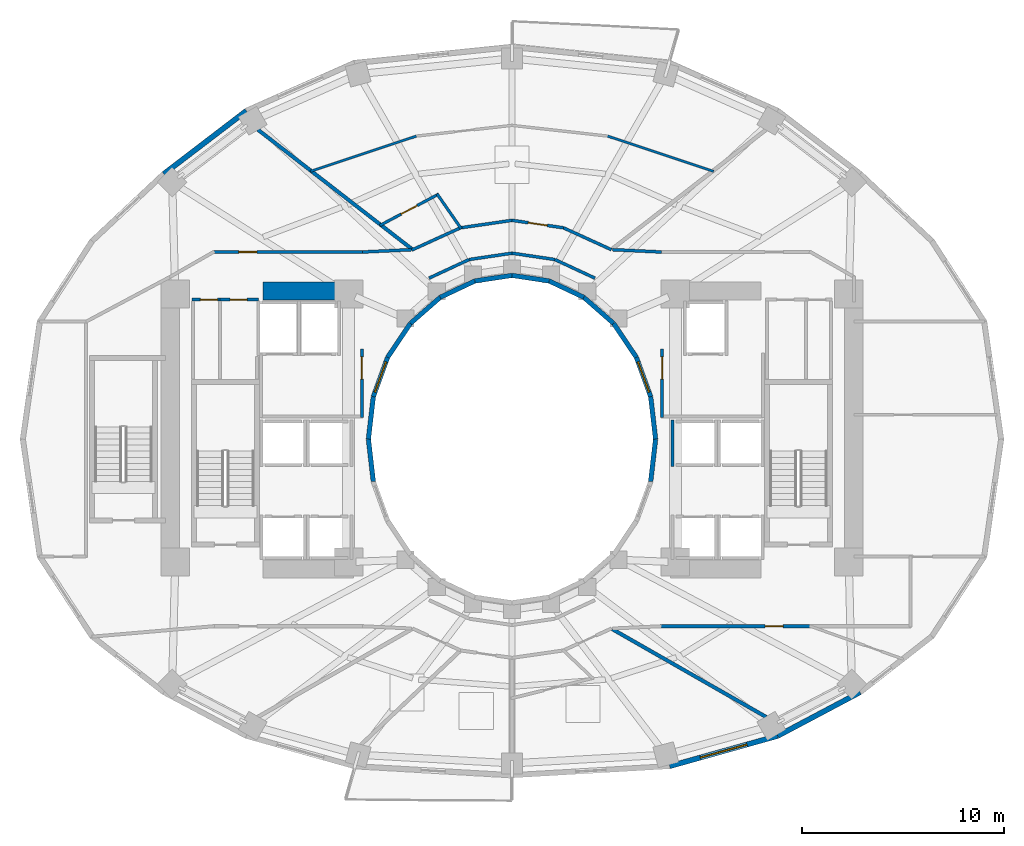
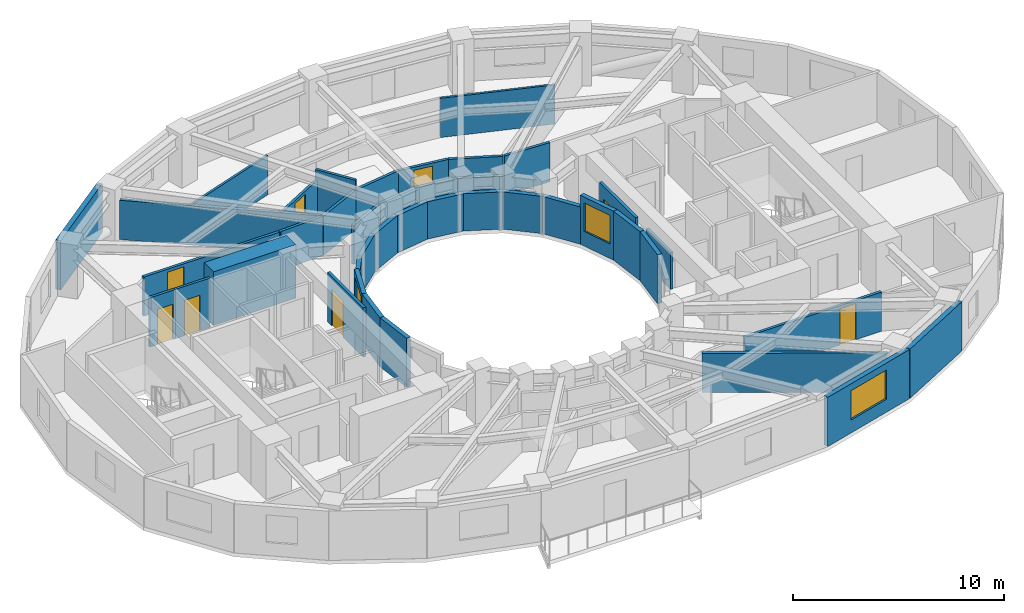
# One storey, part 5 of 9: 41 walls, 8 doors, 3 windows, 11 openings.
"""IFC4 building model written with IfcOpenShell, lengths in metres."""

from ifc_helpers import new_model, si_unit, direction, frame, frame_2d, origin, place, context, subcontext, project, spatial, rectangle, extrude, material, layer, layer_set, type_object, element, fill, save


model = new_model("IFC4")

# Units and contexts
model_context = context("Model", 3, precision=1e-05, world=origin(), true_north=direction((0.0, 1.0)))
body_context = subcontext(model_context, "Body", "Model", "MODEL_VIEW")
ifc_project = project(units=[si_unit("LENGTHUNIT", "METRE"), si_unit("AREAUNIT", "SQUARE_METRE"), si_unit("VOLUMEUNIT", "CUBIC_METRE"), si_unit("PLANEANGLEUNIT", "RADIAN"), si_unit("MASSUNIT", "GRAM", prefix="KILO")], contexts=[model_context])

# Site, building, storey
site_placement = place(None, origin())
site = spatial("IfcSite", under=ifc_project, at=site_placement, CompositionType="ELEMENT")
building_placement = place(site_placement, origin())
building = spatial("IfcBuilding", under=site, at=building_placement, Name="Solvane Sanctuary Tower", CompositionType="ELEMENT")
storey_placement = place(building_placement, frame((0.0, 0.0, 79.39990234375)))
storey = spatial("IfcBuildingStorey", under=building, at=storey_placement, Name="L23", CompositionType="ELEMENT", Elevation=79.39990234375)

# Wall
ifc_material_1 = material(Name="Concrete C70/85", Category="concrete")
ifc_layer_1 = layer(ifc_material_1, 0.89990234375, Name="Concrete C70/85")
ifc_layer_set_1 = layer_set([ifc_layer_1], Name="Concrete C70/85")
wall_type_1 = type_object("IfcWallType", Name="Wall W-CORE-900", PredefinedType="SHEAR", material=ifc_layer_set_1)
wall_1_placement = place(storey_placement, frame((19.64990234375, 30.35009765625, 0.0), z_axis=(0.0, 0.0, 1.0), x_axis=(1.0, 0.0, 0.0)))
element("IfcWall", 1, at=wall_1_placement, inside=storey, type_object=wall_type_1, Name="L23 Core Shear Wall WC-N", PredefinedType="SHEAR", context=body_context, shape_type="SweptSolid", body=[
    extrude(rectangle(XDim=4.5, YDim=0.89990234375, at=frame_2d((2.25, 0.0))), origin(), (0.0, 0.0, 1.0), 3.10009765625),
])

# Wall, opening, door
ifc_material_2 = material(Name="Acoustic Gypsum Partition Board")
ifc_layer_2 = layer(ifc_material_2, 0.14990234375, Name="Acoustic Gypsum Partition Board")
ifc_layer_set_2 = layer_set([ifc_layer_2], Name="Acoustic Gypsum Partition Board")
wall_type_2 = type_object("IfcWallType", Name="Wall W-CORR-150", PredefinedType="PARTITIONING", material=ifc_layer_set_2)
wall_2_placement = place(storey_placement, frame((24.550048828125, 24.080078125, 0.0), z_axis=(0.0, 0.0, 1.0), x_axis=(0.0, 1.0, 0.0)))
wall_2 = element("IfcWall", 2, at=wall_2_placement, inside=storey, type_object=wall_type_2, Name="L23 West Firefighting Lobby East Wall", PredefinedType="PARTITIONING", context=body_context, shape_type="SweptSolid", body=[
    extrude(rectangle(XDim=3.39990234375, YDim=0.14990234375, at=frame_2d((1.699951171875, 0.0))), origin(), (0.0, 0.0, 1.0), 2.85498046875),
])
opening_1_placement = place(wall_2_placement, frame((1.893798828125, 0.0, 0.0)))
opening_1 = element("IfcOpeningElement", 3, at=opening_1_placement, cuts=wall_2, Name="Opening D-L23-06", PredefinedType="OPENING", context=body_context, shape_type="SweptSolid", body=[
    extrude(rectangle(XDim=1.10009765625, YDim=2.10009765625, at=frame_2d((0.550048828125, 1.050048828125))), frame((0.0, 0.0849609375, 0.0), z_axis=(0.0, -1.0, 0.0), x_axis=(1.0, 0.0, 0.0)), (0.0, 0.0, 1.0), 0.169921875),
])
ifc_material_3 = material(Name="Architectural Stainless Steel 316", Category="steel")
door_type_1 = type_object("IfcDoorType", Name="Door D-FFL", OperationType="NOTDEFINED", PredefinedType="DOOR", material=ifc_material_3)
door_1_placement = place(opening_1_placement, origin())
door_1 = element("IfcDoor", 4, at=door_1_placement, inside=storey, type_object=door_type_1, Name="L23 West Firefighting Lobby Fire Door", OperationType="SINGLE_SWING_RIGHT", OverallHeight=2.10009765625, OverallWidth=1.10009765625, PredefinedType="DOOR", context=body_context, shape_type="SweptSolid", body=[
    extrude(rectangle(XDim=1.10009765625, YDim=2.10009765625, at=frame_2d((0.550048828125, 1.050048828125))), frame((0.0, 0.02490234375, 0.0), z_axis=(0.0, -1.0, 0.0), x_axis=(1.0, 0.0, 0.0)), (0.0, 0.0, 1.0), 0.050048828125),
])
fill(opening_1, door_1)

wall_3_placement = place(storey_placement, frame((39.449951171875, 24.080078125, 0.0), z_axis=(0.0, 0.0, 1.0), x_axis=(0.0, 1.0, 0.0)))
wall_3 = element("IfcWall", 5, at=wall_3_placement, inside=storey, type_object=wall_type_2, Name="L23 East Firefighting Lobby West Wall", PredefinedType="PARTITIONING", context=body_context, shape_type="SweptSolid", body=[
    extrude(rectangle(XDim=3.39990234375, YDim=0.14990234375, at=frame_2d((1.699951171875, 0.0))), origin(), (0.0, 0.0, 1.0), 2.85498046875),
])
opening_2_placement = place(wall_3_placement, frame((1.893798828125, 0.0, 0.0)))
opening_2 = element("IfcOpeningElement", 6, at=opening_2_placement, cuts=wall_3, Name="Opening D-L23-07", PredefinedType="OPENING", context=body_context, shape_type="SweptSolid", body=[
    extrude(rectangle(XDim=1.10009765625, YDim=2.10009765625, at=frame_2d((0.550048828125, 1.050048828125))), frame((0.0, 0.0849609375, 0.0), z_axis=(0.0, -1.0, 0.0), x_axis=(1.0, 0.0, 0.0)), (0.0, 0.0, 1.0), 0.169921875),
])
door_2_placement = place(opening_2_placement, origin())
door_2 = element("IfcDoor", 7, at=door_2_placement, inside=storey, type_object=door_type_1, Name="L23 East Firefighting Lobby Fire Door", OperationType="SINGLE_SWING_LEFT", OverallHeight=2.10009765625, OverallWidth=1.10009765625, PredefinedType="DOOR", context=body_context, shape_type="SweptSolid", body=[
    extrude(rectangle(XDim=1.10009765625, YDim=2.10009765625, at=frame_2d((0.550048828125, 1.050048828125))), frame((0.0, 0.02490234375, 0.0), z_axis=(0.0, -1.0, 0.0), x_axis=(1.0, 0.0, 0.0)), (0.0, 0.0, 1.0), 0.050048828125),
])
fill(opening_2, door_2)

# Walls
wall_4_placement = place(storey_placement, frame((36.110107421875, 30.98486328125, 0.0), z_axis=(0.0, 0.0, 1.0), x_axis=(-0.906943449489, 0.421252393975, 0.0)))
element("IfcWall", 8, at=wall_4_placement, inside=storey, type_object=wall_type_2, Name="L23 Light-Well Corridor Rim Wall N1", PredefinedType="PARTITIONING", context=body_context, shape_type="SweptSolid", body=[
    extrude(rectangle(XDim=2.18603515625, YDim=0.14990234375, at=frame_2d((1.093017578125, 0.0))), origin(), (0.0, 0.0, 1.0), 2.272216796875),
])
for number, where, z_axis, x_axis, name in (
    (9, (34.12744140625, 31.90576171875, 0.0), (0.0, 0.0, 1.0), (-0.989268584896, 0.146108408166, 0.0), "L23 Light-Well Corridor Rim Wall N2"),
    (10, (32.0, 32.219970703125, 0.0), (0.0, 0.0, 1.0), (-0.989268584896, -0.146108408166, 0.0), "L23 Light-Well Corridor Rim Wall N3"),
):
    element("IfcWall", number, at=place(storey_placement, frame(where, z_axis=z_axis, x_axis=x_axis)), inside=storey, type_object=wall_type_2, Name=name, PredefinedType="PARTITIONING", context=body_context, shape_type="SweptSolid", body=[
        extrude(rectangle(XDim=2.150634765625, YDim=0.14990234375, at=frame_2d((1.0751953125, 0.0))), origin(), (0.0, 0.0, 1.0), 2.272216796875),
    ])
wall_5_placement = place(storey_placement, frame((29.87255859375, 31.90576171875, 0.0), z_axis=(0.0, 0.0, 1.0), x_axis=(-0.906943449489, -0.421252393975, 0.0)))
element("IfcWall", 11, at=wall_5_placement, inside=storey, type_object=wall_type_2, Name="L23 Light-Well Corridor Rim Wall N4", PredefinedType="PARTITIONING", context=body_context, shape_type="SweptSolid", body=[
    extrude(rectangle(XDim=2.18603515625, YDim=0.14990234375, at=frame_2d((1.093017578125, 0.0))), origin(), (0.0, 0.0, 1.0), 2.272216796875),
])
for number, where, z_axis, x_axis, name in (
    (12, (36.97998046875, 32.393798828125, 0.0), (0.0, 0.0, 1.0), (0.998877427952, -0.047369651964, 0.0), "L23 NE Corner Throat Wall"),
    (13, (27.02001953125, 32.393798828125, 0.0), (0.0, 0.0, 1.0), (-0.998877427952, -0.047369651964, 0.0), "L23 NW Corner Throat Wall"),
):
    element("IfcWall", number, at=place(storey_placement, frame(where, z_axis=z_axis, x_axis=x_axis)), inside=storey, type_object=wall_type_2, Name=name, PredefinedType="PARTITIONING", context=body_context, shape_type="SweptSolid", body=[
        extrude(rectangle(XDim=2.4326171875, YDim=0.14990234375, at=frame_2d((1.21630859375, 0.0))), origin(), (0.0, 0.0, 1.0), 2.272216796875),
    ])

# Wall, opening, door
wall_6_placement = place(storey_placement, frame((17.14990234375, 32.280029296875, 0.0), z_axis=(0.0, 0.0, 1.0), x_axis=(1.0, 0.0, 0.0)))
wall_6 = element("IfcWall", 14, at=wall_6_placement, inside=storey, type_object=wall_type_2, Name="L23 NW Corner Corridor Wall", PredefinedType="PARTITIONING", context=body_context, shape_type="SweptSolid", body=[
    extrude(rectangle(XDim=7.52001953125, YDim=0.14990234375, at=frame_2d((3.760009765625, 0.0))), origin(), (0.0, 0.0, 1.0), 2.272216796875),
])
opening_3_placement = place(wall_6_placement, frame((1.300048828125, 0.0, 0.0)))
opening_3 = element("IfcOpeningElement", 15, at=opening_3_placement, cuts=wall_6, Name="Opening D-L23-16", PredefinedType="OPENING", context=body_context, shape_type="SweptSolid", body=[
    extrude(rectangle(XDim=0.89990234375, YDim=2.10009765625, at=frame_2d((0.449951171875, 1.050048828125))), frame((0.0, 0.0849609375, 0.0), z_axis=(0.0, -1.0, 0.0), x_axis=(1.0, 0.0, 0.0)), (0.0, 0.0, 1.0), 0.169921875),
])
ifc_material_4 = material(Name="Engineered Tropical Hardwood", Category="wood")
door_type_2 = type_object("IfcDoorType", Name="Door D-WET-900", OperationType="NOTDEFINED", PredefinedType="DOOR", material=ifc_material_4)
door_3_placement = place(opening_3_placement, origin())
door_3 = element("IfcDoor", 16, at=door_3_placement, inside=storey, type_object=door_type_2, Name="L23 NW Corner Salon Door", OperationType="SINGLE_SWING_RIGHT", OverallHeight=2.10009765625, OverallWidth=0.89990234375, PredefinedType="DOOR", context=body_context, shape_type="SweptSolid", body=[
    extrude(rectangle(XDim=0.89990234375, YDim=2.10009765625, at=frame_2d((0.449951171875, 1.050048828125))), frame((0.0, 0.02490234375, 0.0), z_axis=(0.0, -1.0, 0.0), x_axis=(1.0, 0.0, 0.0)), (0.0, 0.0, 1.0), 0.050048828125),
])
fill(opening_3, door_3)

wall_7_placement = place(storey_placement, frame((39.330078125, 13.719970703125, 0.0), z_axis=(0.0, 0.0, 1.0), x_axis=(1.0, 0.0, 0.0)))
wall_7 = element("IfcWall", 17, at=wall_7_placement, inside=storey, type_object=wall_type_2, Name="L23 SE Corner Corridor Wall", PredefinedType="PARTITIONING", context=body_context, shape_type="SweptSolid", body=[
    extrude(rectangle(XDim=7.52001953125, YDim=0.14990234375, at=frame_2d((3.760009765625, 0.0))), origin(), (0.0, 0.0, 1.0), 2.272216796875),
])
opening_4_placement = place(wall_7_placement, frame((5.219970703125, 0.0, 0.0)))
opening_4 = element("IfcOpeningElement", 18, at=opening_4_placement, cuts=wall_7, Name="Opening D-L23-19", PredefinedType="OPENING", context=body_context, shape_type="SweptSolid", body=[
    extrude(rectangle(XDim=0.89990234375, YDim=2.10009765625, at=frame_2d((0.449951171875, 1.050048828125))), frame((0.0, 0.0849609375, 0.0), z_axis=(0.0, -1.0, 0.0), x_axis=(1.0, 0.0, 0.0)), (0.0, 0.0, 1.0), 0.169921875),
])
door_4_placement = place(opening_4_placement, origin())
door_4 = element("IfcDoor", 19, at=door_4_placement, inside=storey, type_object=door_type_2, Name="L23 SE Corner Salon Door", OperationType="SINGLE_SWING_LEFT", OverallHeight=2.10009765625, OverallWidth=0.89990234375, PredefinedType="DOOR", context=body_context, shape_type="SweptSolid", body=[
    extrude(rectangle(XDim=0.89990234375, YDim=2.10009765625, at=frame_2d((0.449951171875, 1.050048828125))), frame((0.0, 0.02490234375, 0.0), z_axis=(0.0, -1.0, 0.0), x_axis=(1.0, 0.0, 0.0)), (0.0, 0.0, 1.0), 0.050048828125),
])
fill(opening_4, door_4)

# Walls
wall_8_placement = place(storey_placement, frame((29.49609375, 33.501220703125, 0.0), z_axis=(0.0, 0.0, 1.0), x_axis=(-0.909730151902, -0.415200012909, 0.0)))
element("IfcWall", 20, at=wall_8_placement, inside=storey, type_object=wall_type_2, Name="L23 En-suite Inner Wall N1", PredefinedType="PARTITIONING", context=body_context, shape_type="SweptSolid", body=[
    extrude(rectangle(XDim=2.711181640625, YDim=0.14990234375, at=frame_2d((1.35546875, 0.0))), origin(), (0.0, 0.0, 1.0), 2.272216796875),
])
wall_9_placement = place(storey_placement, frame((36.930908203125, 32.392578125, 0.0), z_axis=(0.0, 0.0, 1.0), x_axis=(-0.909747571199, 0.415161843982, 0.0)))
element("IfcWall", 21, at=wall_9_placement, inside=storey, type_object=wall_type_2, Name="L23 Unit Corridor Wall N1", PredefinedType="PARTITIONING", context=body_context, shape_type="SweptSolid", body=[
    extrude(rectangle(XDim=2.625, YDim=0.14990234375, at=frame_2d((1.3125, 0.0))), origin(), (0.0, 0.0, 1.0), 2.272216796875),
])

# Wall, opening, door
wall_10_placement = place(storey_placement, frame((34.555908203125, 33.478271484375, 0.0), z_axis=(0.0, 0.0, 1.0), x_axis=(-0.989637894688, 0.143585644814, 0.0)))
wall_10 = element("IfcWall", 22, at=wall_10_placement, inside=storey, type_object=wall_type_2, Name="L23 Unit Corridor Wall N1", PredefinedType="PARTITIONING", context=body_context, shape_type="SweptSolid", body=[
    extrude(rectangle(XDim=2.589599609375, YDim=0.14990234375, at=frame_2d((1.294921875, 0.0))), origin(), (0.0, 0.0, 1.0), 2.272216796875),
])
opening_5_placement = place(wall_10_placement, frame((0.81982421875, 0.0, 0.0)))
opening_5 = element("IfcOpeningElement", 23, at=opening_5_placement, cuts=wall_10, Name="Opening D-L23-22", PredefinedType="OPENING", context=body_context, shape_type="SweptSolid", body=[
    extrude(rectangle(XDim=0.949951171875, YDim=2.10009765625, at=frame_2d((0.47509765625, 1.050048828125))), frame((0.0, 0.0849609375, 0.0), z_axis=(0.0, -1.0, 0.0), x_axis=(1.0, 0.0, 0.0)), (0.0, 0.0, 1.0), 0.169921875),
])
door_type_3 = type_object("IfcDoorType", Name="Door D-ROOM-950", OperationType="NOTDEFINED", PredefinedType="DOOR", material=ifc_material_4)
door_5_placement = place(opening_5_placement, origin())
door_5 = element("IfcDoor", 24, at=door_5_placement, inside=storey, type_object=door_type_3, Name="L23 Unit Entrance Door N1", OperationType="SINGLE_SWING_RIGHT", OverallHeight=2.10009765625, OverallWidth=0.949951171875, PredefinedType="DOOR", context=body_context, shape_type="SweptSolid", body=[
    extrude(rectangle(XDim=0.949951171875, YDim=2.10009765625, at=frame_2d((0.47509765625, 1.050048828125))), frame((0.0, 0.02490234375, 0.0), z_axis=(0.0, -1.0, 0.0), x_axis=(1.0, 0.0, 0.0)), (0.0, 0.0, 1.0), 0.050048828125),
])
fill(opening_5, door_5)

# Walls
wall_11_placement = place(storey_placement, frame((32.0068359375, 33.85009765625, 0.0), z_axis=(0.0, 0.0, 1.0), x_axis=(-0.989637894688, -0.143585644814, 0.0)))
element("IfcWall", 25, at=wall_11_placement, inside=storey, type_object=wall_type_2, Name="L23 Unit Corridor Wall N1", PredefinedType="PARTITIONING", context=body_context, shape_type="SweptSolid", body=[
    extrude(rectangle(XDim=2.589599609375, YDim=0.14990234375, at=frame_2d((1.294921875, 0.0))), origin(), (0.0, 0.0, 1.0), 2.272216796875),
])
ifc_material_5 = material(Name="Precast concrete C40/50", Category="concrete")
ifc_layer_3 = layer(ifc_material_5, 0.260009765625, Name="Precast concrete C40/50")
ifc_layer_set_3 = layer_set([ifc_layer_3], Name="Precast concrete C40/50")
wall_type_3 = type_object("IfcWallType", Name="Wall W-EXT-250", PredefinedType="STANDARD", material=ifc_layer_set_3)
wall_12_placement = place(storey_placement, frame((18.82666015625, 39.278076171875, 0.0), z_axis=(0.0, 0.0, 1.0), x_axis=(-0.794809810864, -0.606858603427, 0.0)))
element("IfcWall", 26, at=wall_12_placement, inside=storey, type_object=wall_type_3, Name="L23 Ceramic-Printed Facade Wall 08", PredefinedType="STANDARD", context=body_context, shape_type="SweptSolid", body=[
    extrude(rectangle(XDim=5.149169921875, YDim=0.260009765625, at=frame_2d((2.57470703125, 0.0))), origin(), (0.0, 0.0, 1.0), 2.85009765625),
])

# Wall, opening, window
wall_13_placement = place(storey_placement, frame((39.81640625, 6.7783203125, 0.0), z_axis=(0.0, 0.0, 1.0), x_axis=(0.962938491413, 0.269721081407, 0.0)))
wall_13 = element("IfcWall", 27, at=wall_13_placement, inside=storey, type_object=wall_type_3, Name="L23 Ceramic-Printed Facade Wall 19", PredefinedType="STANDARD", context=body_context, shape_type="SweptSolid", body=[
    extrude(rectangle(XDim=5.563232421875, YDim=0.260009765625, at=frame_2d((2.78173828125, 0.0))), origin(), (0.0, 0.0, 1.0), 2.85009765625),
])
opening_6_placement = place(wall_13_placement, frame((1.58154296875, 0.0, 0.75)))
opening_6 = element("IfcOpeningElement", 28, at=opening_6_placement, cuts=wall_13, Name="Opening WN-RIB-2400", PredefinedType="OPENING", context=body_context, shape_type="SweptSolid", body=[
    extrude(rectangle(XDim=2.39990234375, YDim=1.699951171875, at=frame_2d((1.199951171875, 0.85009765625))), frame((0.0, 0.139892578125, 0.0), z_axis=(0.0, -1.0, 0.0), x_axis=(1.0, 0.0, 0.0)), (0.0, 0.0, 1.0), 0.280029296875),
])
ifc_material_6 = material(Name="Dark Ceramic-Fritted Low-E Glass", Category="glass")
window_type_1 = type_object("IfcWindowType", Name="Window WN-RIB-2400", PartitioningType="SINGLE_PANEL", PredefinedType="WINDOW", material=ifc_material_6)
window_1_placement = place(opening_6_placement, origin())
window_1 = element("IfcWindow", 29, at=window_1_placement, inside=storey, type_object=window_type_1, Name="L23 Operable Facade Window 19", OverallHeight=1.699951171875, OverallWidth=2.39990234375, PartitioningType="SINGLE_PANEL", PredefinedType="WINDOW", context=body_context, shape_type="SweptSolid", body=[
    extrude(rectangle(XDim=2.39990234375, YDim=1.699951171875, at=frame_2d((1.199951171875, 0.85009765625))), frame((0.0, 0.030029296875, 0.0), z_axis=(0.0, -1.0, 0.0), x_axis=(1.0, 0.0, 0.0)), (0.0, 0.0, 1.0), 0.06005859375),
])
fill(opening_6, window_1)

# Walls
wall_14_placement = place(storey_placement, frame((45.17333984375, 8.27880859375, 0.0), z_axis=(0.0, 0.0, 1.0), x_axis=(0.883668636807, 0.4681129568, 0.0)))
element("IfcWall", 30, at=wall_14_placement, inside=storey, type_object=wall_type_3, Name="L23 Ceramic-Printed Facade Wall 20", PredefinedType="STANDARD", context=body_context, shape_type="SweptSolid", body=[
    extrude(rectangle(XDim=4.63134765625, YDim=0.260009765625, at=frame_2d((2.315673828125, 0.0))), origin(), (0.0, 0.0, 1.0), 2.85009765625),
])
ifc_layer_4 = layer(ifc_material_5, 0.22998046875, Name="Precast concrete C40/50")
ifc_layer_set_4 = layer_set([ifc_layer_4], Name="Precast concrete C40/50")
wall_type_4 = type_object("IfcWallType", Name="Wall W-EXT-SP220", PredefinedType="STANDARD", material=ifc_layer_set_4)
wall_15_placement = place(storey_placement, frame((39.1201171875, 23.0, 0.0), z_axis=(0.0, 0.0, 1.0), x_axis=(-0.114711713601, 0.993398823617, 0.0)))
element("IfcWall", 31, at=wall_15_placement, inside=storey, type_object=wall_type_4, Name="L23 Central Light-Well Wall 00", PredefinedType="STANDARD", context=body_context, shape_type="SweptSolid", body=[
    extrude(rectangle(XDim=2.115478515625, YDim=0.22998046875, at=frame_2d((1.0576171875, 0.0))), origin(), (0.0, 0.0, 1.0), 2.840087890625),
])

# Wall, opening, window
wall_16_placement = place(storey_placement, frame((38.87744140625, 25.1015625, 0.0), z_axis=(0.0, 0.0, 1.0), x_axis=(-0.341423187295, 0.93990968033, 0.0)))
wall_16 = element("IfcWall", 32, at=wall_16_placement, inside=storey, type_object=wall_type_4, Name="L23 Central Light-Well Wall 01", PredefinedType="STANDARD", context=body_context, shape_type="SweptSolid", body=[
    extrude(rectangle(XDim=2.083740234375, YDim=0.22998046875, at=frame_2d((1.0419921875, 0.0))), origin(), (0.0, 0.0, 1.0), 2.840087890625),
])
opening_7_placement = place(wall_16_placement, frame((0.24169921875, 0.0, 0.85009765625)))
opening_7 = element("IfcOpeningElement", 33, at=opening_7_placement, cuts=wall_16, Name="Opening WN-WELL-1600", PredefinedType="OPENING", context=body_context, shape_type="SweptSolid", body=[
    extrude(rectangle(XDim=1.60009765625, YDim=1.64990234375, at=frame_2d((0.800048828125, 0.824951171875))), frame((0.0, 0.125, 0.0), z_axis=(0.0, -1.0, 0.0), x_axis=(1.0, 0.0, 0.0)), (0.0, 0.0, 1.0), 0.25),
])
ifc_material_7 = material(Name="Clear Laminated Light-Well Glass", Category="glass")
window_type_2 = type_object("IfcWindowType", Name="Window WN-WELL-1600", PartitioningType="SINGLE_PANEL", PredefinedType="WINDOW", material=ifc_material_7)
window_2_placement = place(opening_7_placement, origin())
window_2 = element("IfcWindow", 34, at=window_2_placement, inside=storey, type_object=window_type_2, Name="L23 Light-Well Daylight Window 01", OverallHeight=1.64990234375, OverallWidth=1.60009765625, PartitioningType="SINGLE_PANEL", PredefinedType="WINDOW", context=body_context, shape_type="SweptSolid", body=[
    extrude(rectangle(XDim=1.60009765625, YDim=1.64990234375, at=frame_2d((0.800048828125, 0.824951171875))), frame((0.0, 0.030029296875, 0.0), z_axis=(0.0, -1.0, 0.0), x_axis=(1.0, 0.0, 0.0)), (0.0, 0.0, 1.0), 0.06005859375),
])
fill(opening_7, window_2)

# Walls
wall_17_placement = place(storey_placement, frame((38.166015625, 27.06005859375, 0.0), z_axis=(0.0, 0.0, 1.0), x_axis=(-0.558197800898, 0.829707909492, 0.0)))
element("IfcWall", 35, at=wall_17_placement, inside=storey, type_object=wall_type_4, Name="L23 Central Light-Well Wall 02", PredefinedType="STANDARD", context=body_context, shape_type="SweptSolid", body=[
    extrude(rectangle(XDim=2.02685546875, YDim=0.22998046875, at=frame_2d((1.013427734375, 0.0))), origin(), (0.0, 0.0, 1.0), 2.16015625),
])
wall_18_placement = place(storey_placement, frame((37.03466796875, 28.74169921875, 0.0), z_axis=(0.0, 0.0, 1.0), x_axis=(-0.752576694707, 0.658504607869, 0.0)))
element("IfcWall", 36, at=wall_18_placement, inside=storey, type_object=wall_type_4, Name="L23 Central Light-Well Wall 03", PredefinedType="STANDARD", context=body_context, shape_type="SweptSolid", body=[
    extrude(rectangle(XDim=1.95947265625, YDim=0.22998046875, at=frame_2d((0.979736328125, 0.0))), origin(), (0.0, 0.0, 1.0), 2.16015625),
])
wall_19_placement = place(storey_placement, frame((35.56005859375, 30.031982421875, 0.0), z_axis=(0.0, 0.0, 1.0), x_axis=(-0.904179699603, 0.427152280606, 0.0)))
element("IfcWall", 37, at=wall_19_placement, inside=storey, type_object=wall_type_4, Name="L23 Central Light-Well Wall 04", PredefinedType="STANDARD", context=body_context, shape_type="SweptSolid", body=[
    extrude(rectangle(XDim=1.899169921875, YDim=0.22998046875, at=frame_2d((0.94970703125, 0.0))), origin(), (0.0, 0.0, 1.0), 2.16015625),
])
for number, where, z_axis, x_axis, name in (
    (38, (33.8427734375, 30.84326171875, 0.0), (0.0, 0.0, 1.0), (-0.988901730308, 0.148571086668, 0.0), "L23 Central Light-Well Wall 05"),
    (39, (32.0, 31.1201171875, 0.0), (0.0, 0.0, 1.0), (-0.988901730308, -0.148571086668, 0.0), "L23 Central Light-Well Wall 06"),
):
    element("IfcWall", number, at=place(storey_placement, frame(where, z_axis=z_axis, x_axis=x_axis)), inside=storey, type_object=wall_type_4, Name=name, PredefinedType="STANDARD", context=body_context, shape_type="SweptSolid", body=[
        extrude(rectangle(XDim=1.863525390625, YDim=0.22998046875, at=frame_2d((0.931640625, 0.0))), origin(), (0.0, 0.0, 1.0), 2.16015625),
    ])
wall_20_placement = place(storey_placement, frame((30.1572265625, 30.84326171875, 0.0), z_axis=(0.0, 0.0, 1.0), x_axis=(-0.904179699603, -0.427152280606, 0.0)))
element("IfcWall", 40, at=wall_20_placement, inside=storey, type_object=wall_type_4, Name="L23 Central Light-Well Wall 07", PredefinedType="STANDARD", context=body_context, shape_type="SweptSolid", body=[
    extrude(rectangle(XDim=1.899169921875, YDim=0.22998046875, at=frame_2d((0.94970703125, 0.0))), origin(), (0.0, 0.0, 1.0), 2.16015625),
])
wall_21_placement = place(storey_placement, frame((28.43994140625, 30.031982421875, 0.0), z_axis=(0.0, 0.0, 1.0), x_axis=(-0.752576694707, -0.658504607869, 0.0)))
element("IfcWall", 41, at=wall_21_placement, inside=storey, type_object=wall_type_4, Name="L23 Central Light-Well Wall 08", PredefinedType="STANDARD", context=body_context, shape_type="SweptSolid", body=[
    extrude(rectangle(XDim=1.95947265625, YDim=0.22998046875, at=frame_2d((0.979736328125, 0.0))), origin(), (0.0, 0.0, 1.0), 2.16015625),
])
wall_22_placement = place(storey_placement, frame((26.96533203125, 28.74169921875, 0.0), z_axis=(0.0, 0.0, 1.0), x_axis=(-0.558197800898, -0.829707909492, 0.0)))
element("IfcWall", 42, at=wall_22_placement, inside=storey, type_object=wall_type_4, Name="L23 Central Light-Well Wall 09", PredefinedType="STANDARD", context=body_context, shape_type="SweptSolid", body=[
    extrude(rectangle(XDim=2.02685546875, YDim=0.22998046875, at=frame_2d((1.013427734375, 0.0))), origin(), (0.0, 0.0, 1.0), 2.16015625),
])

# Wall, opening, window
wall_23_placement = place(storey_placement, frame((25.833984375, 27.06005859375, 0.0), z_axis=(0.0, 0.0, 1.0), x_axis=(-0.341423187295, -0.93990968033, 0.0)))
wall_23 = element("IfcWall", 43, at=wall_23_placement, inside=storey, type_object=wall_type_4, Name="L23 Central Light-Well Wall 10", PredefinedType="STANDARD", context=body_context, shape_type="SweptSolid", body=[
    extrude(rectangle(XDim=2.083740234375, YDim=0.22998046875, at=frame_2d((1.0419921875, 0.0))), origin(), (0.0, 0.0, 1.0), 2.840087890625),
])
opening_8_placement = place(wall_23_placement, frame((0.24169921875, 0.0, 0.85009765625)))
opening_8 = element("IfcOpeningElement", 44, at=opening_8_placement, cuts=wall_23, Name="Opening WN-WELL-1600", PredefinedType="OPENING", context=body_context, shape_type="SweptSolid", body=[
    extrude(rectangle(XDim=1.60009765625, YDim=1.64990234375, at=frame_2d((0.800048828125, 0.824951171875))), frame((0.0, 0.125, 0.0), z_axis=(0.0, -1.0, 0.0), x_axis=(1.0, 0.0, 0.0)), (0.0, 0.0, 1.0), 0.25),
])
window_3_placement = place(opening_8_placement, origin())
window_3 = element("IfcWindow", 45, at=window_3_placement, inside=storey, type_object=window_type_2, Name="L23 Light-Well Daylight Window 10", OverallHeight=1.64990234375, OverallWidth=1.60009765625, PartitioningType="SINGLE_PANEL", PredefinedType="WINDOW", context=body_context, shape_type="SweptSolid", body=[
    extrude(rectangle(XDim=1.60009765625, YDim=1.64990234375, at=frame_2d((0.800048828125, 0.824951171875))), frame((0.0, 0.030029296875, 0.0), z_axis=(0.0, -1.0, 0.0), x_axis=(1.0, 0.0, 0.0)), (0.0, 0.0, 1.0), 0.06005859375),
])
fill(opening_8, window_3)

# Walls
for number, where, z_axis, x_axis, name in (
    (46, (25.12255859375, 25.1015625, 0.0), (0.0, 0.0, 1.0), (-0.114711713601, -0.993398823617, 0.0), "L23 Central Light-Well Wall 11"),
    (47, (24.8798828125, 23.0, 0.0), (0.0, 0.0, 1.0), (0.114711713601, -0.993398823617, 0.0), "L23 Central Light-Well Wall 12"),
    (48, (38.87744140625, 20.8984375, 0.0), (0.0, 0.0, 1.0), (0.114711713601, 0.993398823617, 0.0), "L23 Central Light-Well Wall 23"),
):
    element("IfcWall", number, at=place(storey_placement, frame(where, z_axis=z_axis, x_axis=x_axis)), inside=storey, type_object=wall_type_4, Name=name, PredefinedType="STANDARD", context=body_context, shape_type="SweptSolid", body=[
        extrude(rectangle(XDim=2.115478515625, YDim=0.22998046875, at=frame_2d((1.0576171875, 0.0))), origin(), (0.0, 0.0, 1.0), 2.840087890625),
    ])
ifc_layer_5 = layer(ifc_material_2, 0.1201171875, Name="Acoustic Gypsum Partition Board")
ifc_layer_set_5 = layer_set([ifc_layer_5], Name="Acoustic Gypsum Partition Board")
wall_type_5 = type_object("IfcWallType", Name="Wall W-MOV-100", PredefinedType="MOVABLE", material=ifc_layer_set_5)
for number, where, z_axis, x_axis, name in (
    (49, (42.003173828125, 36.279296875, 0.0), (0.0, 0.0, 1.0), (-0.948981517829, 0.315331696502, 0.0), "L23 Suite Sitting Lounge Partition N1"),
    (50, (27.272216796875, 38.0322265625, 0.0), (0.0, 0.0, 1.0), (-0.948981517829, -0.315331696502, 0.0), "L23 Suite Sitting Lounge Partition N1"),
):
    element("IfcWall", number, at=place(storey_placement, frame(where, z_axis=z_axis, x_axis=x_axis)), inside=storey, type_object=wall_type_5, Name=name, PredefinedType="MOVABLE", context=body_context, shape_type="SweptSolid", body=[
        extrude(rectangle(XDim=5.55908203125, YDim=0.1201171875, at=frame_2d((2.779541015625, 0.0))), origin(), (0.0, 0.0, 1.0), 2.272216796875),
    ])
ifc_material_8 = material(Name="Concrete C50/60", Category="concrete")
ifc_layer_6 = layer(ifc_material_8, 0.14990234375, Name="Concrete C50/60")
ifc_layer_set_6 = layer_set([ifc_layer_6], Name="Concrete C50/60")
wall_type_6 = type_object("IfcWallType", Name="Wall W-SHAFT-150", PredefinedType="SOLIDWALL", material=ifc_layer_set_6)
wall_24_placement = place(storey_placement, frame((39.969970703125, 21.639892578125, 0.0), z_axis=(0.0, 0.0, 1.0), x_axis=(0.0, 1.0, 0.0)))
element("IfcWall", 51, at=wall_24_placement, inside=storey, type_object=wall_type_6, Name="L23 PH-2 Lift Shaft Wall S1", PredefinedType="SOLIDWALL", context=body_context, shape_type="SweptSolid", body=[
    extrude(rectangle(XDim=2.320068359375, YDim=0.14990234375, at=frame_2d((1.16015625, 0.0))), origin(), (0.0, 0.0, 1.0), 2.1201171875),
])
ifc_layer_7 = layer(ifc_material_2, 0.179931640625, Name="Acoustic Gypsum Partition Board")
ifc_layer_set_7 = layer_set([ifc_layer_7], Name="Acoustic Gypsum Partition Board")
wall_type_7 = type_object("IfcWallType", Name="Wall W-UNIT-180", PredefinedType="PARTITIONING", material=ifc_layer_set_7)
wall_25_placement = place(storey_placement, frame((27.031494140625, 32.43017578125, 0.0), z_axis=(0.0, 0.0, 1.0), x_axis=(-0.790421780952, 0.612562983045, 0.0)))
element("IfcWall", 52, at=wall_25_placement, inside=storey, type_object=wall_type_7, Name="L23 Radial Compartment Wall 120", PredefinedType="PARTITIONING", context=body_context, shape_type="SweptSolid", body=[
    extrude(rectangle(XDim=9.662109375, YDim=0.179931640625, at=frame_2d((4.8310546875, 0.0))), origin(), (0.0, 0.0, 1.0), 2.272216796875),
])
wall_26_placement = place(storey_placement, frame((36.972900390625, 13.576416015625, 0.0), z_axis=(0.0, 0.0, 1.0), x_axis=(0.868484076301, -0.495717065685, 0.0)))
element("IfcWall", 53, at=wall_26_placement, inside=storey, type_object=wall_type_7, Name="L23 Radial Compartment Wall 300", PredefinedType="PARTITIONING", context=body_context, shape_type="SweptSolid", body=[
    extrude(rectangle(XDim=8.78857421875, YDim=0.179931640625, at=frame_2d((4.394287109375, 0.0))), origin(), (0.0, 0.0, 1.0), 2.272216796875),
])

# Wall, opening, door
ifc_layer_8 = layer(ifc_material_2, 0.139892578125, Name="Acoustic Gypsum Partition Board")
ifc_layer_set_8 = layer_set([ifc_layer_8], Name="Acoustic Gypsum Partition Board")
wall_type_8 = type_object("IfcWallType", Name="Wall W-WET-140", PredefinedType="PLUMBINGWALL", material=ifc_layer_set_8)
wall_27_placement = place(storey_placement, frame((16.1201171875, 29.919921875, 0.0), z_axis=(0.0, 0.0, 1.0), x_axis=(1.0, 0.0, 0.0)))
wall_27 = element("IfcWall", 54, at=wall_27_placement, inside=storey, type_object=wall_type_8, Name="L23 Core Service Front Wall KW1", PredefinedType="PLUMBINGWALL", context=body_context, shape_type="SweptSolid", body=[
    extrude(rectangle(XDim=1.39990234375, YDim=0.139892578125, at=frame_2d((0.699951171875, 0.0))), origin(), (0.0, 0.0, 1.0), 2.85498046875),
])
opening_9_placement = place(wall_27_placement, frame((0.429931640625, 0.0, 0.0)))
opening_9 = element("IfcOpeningElement", 55, at=opening_9_placement, cuts=wall_27, Name="Opening D-L23-08", PredefinedType="OPENING", context=body_context, shape_type="SweptSolid", body=[
    extrude(rectangle(XDim=0.85009765625, YDim=2.050048828125, at=frame_2d((0.425048828125, 1.02490234375))), frame((0.0, 0.079833984375, 0.0), z_axis=(0.0, -1.0, 0.0), x_axis=(1.0, 0.0, 0.0)), (0.0, 0.0, 1.0), 0.159912109375),
])
door_type_4 = type_object("IfcDoorType", Name="Door D-RISER", OperationType="NOTDEFINED", PredefinedType="DOOR", material=ifc_material_3)
door_6_placement = place(opening_9_placement, origin())
door_6 = element("IfcDoor", 56, at=door_6_placement, inside=storey, type_object=door_type_4, Name="L23 Core Service Room Door KW1-1", OperationType="SINGLE_SWING_RIGHT", OverallHeight=2.050048828125, OverallWidth=0.85009765625, PredefinedType="DOOR", context=body_context, shape_type="SweptSolid", body=[
    extrude(rectangle(XDim=0.85009765625, YDim=2.050048828125, at=frame_2d((0.425048828125, 1.02490234375))), frame((0.0, 0.02490234375, 0.0), z_axis=(0.0, -1.0, 0.0), x_axis=(1.0, 0.0, 0.0)), (0.0, 0.0, 1.0), 0.050048828125),
])
fill(opening_9, door_6)

wall_28_placement = place(storey_placement, frame((17.52001953125, 29.919921875, 0.0), z_axis=(0.0, 0.0, 1.0), x_axis=(1.0, 0.0, 0.0)))
wall_28 = element("IfcWall", 57, at=wall_28_placement, inside=storey, type_object=wall_type_8, Name="L23 Core Service Front Wall KW2", PredefinedType="PLUMBINGWALL", context=body_context, shape_type="SweptSolid", body=[
    extrude(rectangle(XDim=1.89990234375, YDim=0.139892578125, at=frame_2d((0.949951171875, 0.0))), origin(), (0.0, 0.0, 1.0), 2.85498046875),
])
opening_10_placement = place(wall_28_placement, frame((0.5, 0.0, 0.0)))
opening_10 = element("IfcOpeningElement", 58, at=opening_10_placement, cuts=wall_28, Name="Opening D-L23-09", PredefinedType="OPENING", context=body_context, shape_type="SweptSolid", body=[
    extrude(rectangle(XDim=0.85009765625, YDim=2.050048828125, at=frame_2d((0.425048828125, 1.02490234375))), frame((0.0, 0.079833984375, 0.0), z_axis=(0.0, -1.0, 0.0), x_axis=(1.0, 0.0, 0.0)), (0.0, 0.0, 1.0), 0.159912109375),
])
door_7_placement = place(opening_10_placement, origin())
door_7 = element("IfcDoor", 59, at=door_7_placement, inside=storey, type_object=door_type_4, Name="L23 Core Service Room Door KW2-1", OperationType="SINGLE_SWING_LEFT", OverallHeight=2.050048828125, OverallWidth=0.85009765625, PredefinedType="DOOR", context=body_context, shape_type="SweptSolid", body=[
    extrude(rectangle(XDim=0.85009765625, YDim=2.050048828125, at=frame_2d((0.425048828125, 1.02490234375))), frame((0.0, 0.02490234375, 0.0), z_axis=(0.0, -1.0, 0.0), x_axis=(1.0, 0.0, 0.0)), (0.0, 0.0, 1.0), 0.050048828125),
])
fill(opening_10, door_7)

# Wall
wall_29_placement = place(storey_placement, frame((29.47900390625, 33.439208984375, 0.0), z_axis=(0.0, 0.0, 1.0), x_axis=(-0.570110374441, 0.821568110965, 0.0)))
element("IfcWall", 60, at=wall_29_placement, inside=storey, type_object=wall_type_8, Name="L23 En-suite Side Partition N1", PredefinedType="PLUMBINGWALL", context=body_context, shape_type="SweptSolid", body=[
    extrude(rectangle(XDim=2.10009765625, YDim=0.139892578125, at=frame_2d((1.050048828125, 0.0))), origin(), (0.0, 0.0, 1.0), 2.85498046875),
])

# Wall, opening, door
wall_30_placement = place(storey_placement, frame((28.3544921875, 35.14697265625, 0.0), z_axis=(0.0, 0.0, 1.0), x_axis=(-0.882338568524, -0.470615183027, 0.0)))
wall_30 = element("IfcWall", 61, at=wall_30_placement, inside=storey, type_object=wall_type_8, Name="L23 En-suite Bedroom Wall N1", PredefinedType="PLUMBINGWALL", context=body_context, shape_type="SweptSolid", body=[
    extrude(rectangle(XDim=3.29150390625, YDim=0.139892578125, at=frame_2d((1.645751953125, 0.0))), origin(), (0.0, 0.0, 1.0), 2.272216796875),
])
opening_11_placement = place(wall_30_placement, frame((1.19580078125, 0.0, 0.0)))
opening_11 = element("IfcOpeningElement", 62, at=opening_11_placement, cuts=wall_30, Name="Opening D-L23-21", PredefinedType="OPENING", context=body_context, shape_type="SweptSolid", body=[
    extrude(rectangle(XDim=0.89990234375, YDim=2.10009765625, at=frame_2d((0.449951171875, 1.050048828125))), frame((0.0, 0.079833984375, 0.0), z_axis=(0.0, -1.0, 0.0), x_axis=(1.0, 0.0, 0.0)), (0.0, 0.0, 1.0), 0.159912109375),
])
door_8_placement = place(opening_11_placement, origin())
door_8 = element("IfcDoor", 63, at=door_8_placement, inside=storey, type_object=door_type_2, Name="L23 En-suite Bathroom Door N1", OperationType="SINGLE_SWING_LEFT", OverallHeight=2.10009765625, OverallWidth=0.89990234375, PredefinedType="DOOR", context=body_context, shape_type="SweptSolid", body=[
    extrude(rectangle(XDim=0.89990234375, YDim=2.10009765625, at=frame_2d((0.449951171875, 1.050048828125))), frame((0.0, 0.02490234375, 0.0), z_axis=(0.0, -1.0, 0.0), x_axis=(1.0, 0.0, 0.0)), (0.0, 0.0, 1.0), 0.050048828125),
])
fill(opening_11, door_8)

save(model, "model.ifc")
